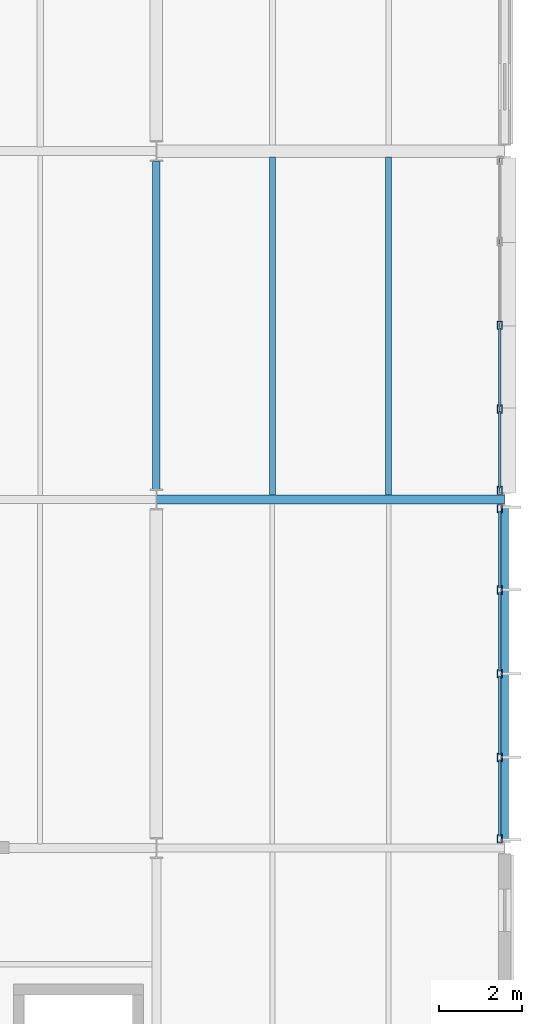
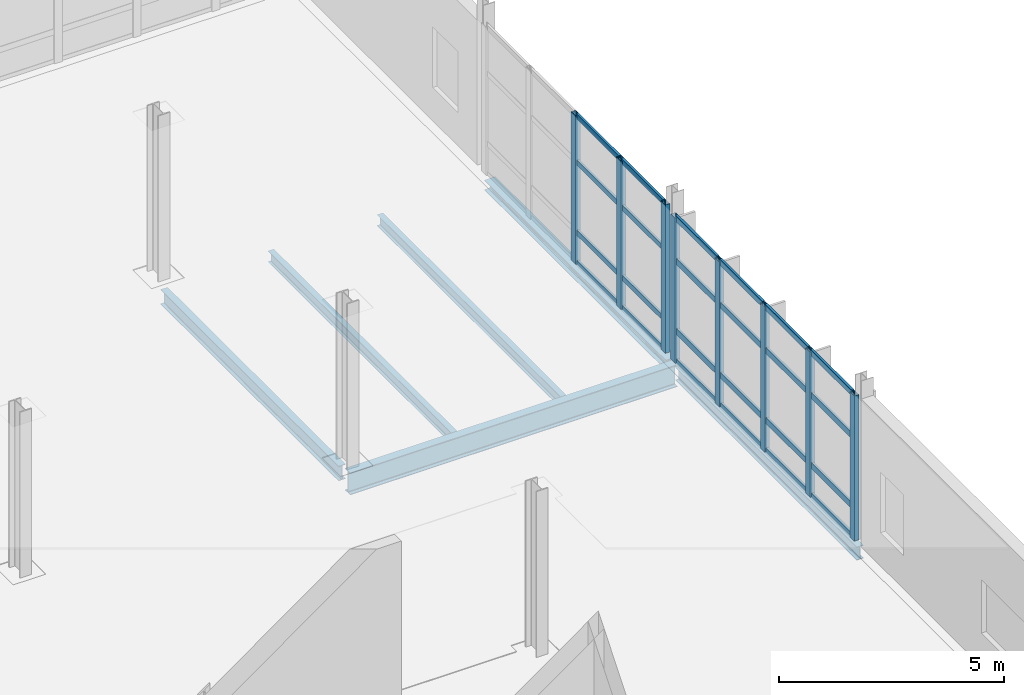
# One storey, part 73 of 129: 32 members, 6 beams, 2 elements without a shape of their own.
"""IFC4 building model written with IfcOpenShell, lengths in metres."""

from ifc_helpers import new_model, si_unit, direction, frame, origin, origin_2d, place, context, subcontext, project, spatial, hollow_rectangle, i_section, extrude, material, material_profile, profile_set, type_object, element, aggregate, save


model = new_model("IFC4")

# Units and contexts
model_context = context("Model", 3, precision=1e-05, world=origin(), true_north=direction((0.0, 1.0)))
body_context = subcontext(model_context, "Body", "Model", "MODEL_VIEW")
ifc_project = project(units=[si_unit("LENGTHUNIT", "METRE"), si_unit("AREAUNIT", "SQUARE_METRE"), si_unit("VOLUMEUNIT", "CUBIC_METRE"), si_unit("PLANEANGLEUNIT", "RADIAN"), si_unit("MASSUNIT", "GRAM", prefix="KILO")], contexts=[model_context])

# Site, building, storey
site_placement = place(None, origin())
site = spatial("IfcSite", under=ifc_project, at=site_placement, CompositionType="ELEMENT")
building_placement = place(site_placement, origin())
building = spatial("IfcBuilding", under=site, at=building_placement, Name="Mersafa Astral City Hall", CompositionType="ELEMENT")
storey_placement = place(building_placement, frame((0.0, 0.0, 5.39990234375)))
storey = spatial("IfcBuildingStorey", under=building, at=storey_placement, Name="L01", CompositionType="ELEMENT", Elevation=5.39990234375)

# Curtain wall, members
ifc_material_1 = material(Name="Anodised bronze aluminium framing", Category="aluminium")
curtain_wall_type_1 = type_object("IfcCurtainWallType", Name="ENV-CW-1", PredefinedType="USERDEFINED", material=ifc_material_1)
curtain_wall_1_placement = place(storey_placement, origin())
curtain_wall_1 = element("IfcCurtainWall", 1, at=curtain_wall_1_placement, inside=storey, type_object=curtain_wall_type_1, Name="L01 Unitised solar curtain wall 72", ObjectType="UNITISED CURTAIN WALL", PredefinedType="USERDEFINED")
ifc_material_profile_1 = material_profile(ifc_material_1, hollow_rectangle(XDim=0.1201171875, YDim=0.199951171875, WallThickness=0.008056640625, at=origin_2d()), Name="RHS 120x200x8")
ifc_profile_set_1 = profile_set([ifc_material_profile_1], Name="Anodised bronze aluminium framing")
member_type_1 = type_object("IfcMemberType", Name="ENV-CW-MUL-2", PredefinedType="MULLION", material=ifc_profile_set_1)
member_1_placement = place(storey_placement, frame((184.679931640625, 67.422119140625, -0.001953125), z_axis=(0.0, 0.0, 1.0), x_axis=(-1.0, 0.0, 0.0)))
member_1 = element("IfcMember", 2, at=member_1_placement, type_object=member_type_1, Name="CW-1 mullion 1", PredefinedType="MULLION", context=body_context, shape_type="SweptSolid", body=[
    extrude(hollow_rectangle(XDim=0.1201171875, YDim=0.199951171875, WallThickness=0.008056640625, at=origin_2d()), origin(), (0.0, 0.0, 1.0), 3.93896484375),
])
member_2_placement = place(storey_placement, frame((184.679931640625, 69.381103515625, -0.001953125), z_axis=(0.0, 0.0, 1.0), x_axis=(-1.0, 0.0, 0.0)))
member_2 = element("IfcMember", 3, at=member_2_placement, type_object=member_type_1, Name="CW-1 mullion 2", PredefinedType="MULLION", context=body_context, shape_type="SweptSolid", body=[
    extrude(hollow_rectangle(XDim=0.1201171875, YDim=0.199951171875, WallThickness=0.008056640625, at=origin_2d()), origin(), (0.0, 0.0, 1.0), 3.93896484375),
])
member_3_placement = place(storey_placement, frame((184.679931640625, 71.39990234375, -0.001953125), z_axis=(0.0, 0.0, 1.0), x_axis=(-1.0, 0.0, 0.0)))
member_3 = element("IfcMember", 4, at=member_3_placement, type_object=member_type_1, Name="CW-1 mullion 3", PredefinedType="MULLION", context=body_context, shape_type="SweptSolid", body=[
    extrude(hollow_rectangle(XDim=0.1201171875, YDim=0.199951171875, WallThickness=0.008056640625, at=origin_2d()), origin(), (0.0, 0.0, 1.0), 3.93896484375),
])
member_4_placement = place(storey_placement, frame((184.679931640625, 73.4189453125, -0.001953125), z_axis=(0.0, 0.0, 1.0), x_axis=(-1.0, 0.0, 0.0)))
member_4 = element("IfcMember", 5, at=member_4_placement, type_object=member_type_1, Name="CW-1 mullion 4", PredefinedType="MULLION", context=body_context, shape_type="SweptSolid", body=[
    extrude(hollow_rectangle(XDim=0.1201171875, YDim=0.199951171875, WallThickness=0.008056640625, at=origin_2d()), origin(), (0.0, 0.0, 1.0), 3.93896484375),
])
member_5_placement = place(storey_placement, frame((184.679931640625, 75.3779296875, -0.001953125), z_axis=(0.0, 0.0, 1.0), x_axis=(-1.0, 0.0, 0.0)))
member_5 = element("IfcMember", 6, at=member_5_placement, type_object=member_type_1, Name="CW-1 mullion 5", PredefinedType="MULLION", context=body_context, shape_type="SweptSolid", body=[
    extrude(hollow_rectangle(XDim=0.1201171875, YDim=0.199951171875, WallThickness=0.008056640625, at=origin_2d()), origin(), (0.0, 0.0, 1.0), 3.93896484375),
])

curtain_wall_type_2 = type_object("IfcCurtainWallType", Name="ENV-CW-2", PredefinedType="USERDEFINED", material=ifc_material_1)
curtain_wall_2_placement = place(storey_placement, origin())
curtain_wall_2 = element("IfcCurtainWall", 7, at=curtain_wall_2_placement, inside=storey, type_object=curtain_wall_type_2, Name="L01 Unitised solar curtain wall 73", ObjectType="UNITISED CURTAIN WALL", PredefinedType="USERDEFINED")
member_6_placement = place(storey_placement, frame((184.679931640625, 75.822021484375, -0.001953125), z_axis=(0.0, 0.0, 1.0), x_axis=(-1.0, 0.0, 0.0)))
member_6 = element("IfcMember", 8, at=member_6_placement, type_object=member_type_1, Name="CW-2 mullion 1", PredefinedType="MULLION", context=body_context, shape_type="SweptSolid", body=[
    extrude(hollow_rectangle(XDim=0.1201171875, YDim=0.199951171875, WallThickness=0.008056640625, at=origin_2d()), origin(), (0.0, 0.0, 1.0), 4.029052734375),
])
member_7_placement = place(storey_placement, frame((184.679931640625, 77.781005859375, -0.001953125), z_axis=(0.0, 0.0, 1.0), x_axis=(-1.0, 0.0, 0.0)))
member_7 = element("IfcMember", 9, at=member_7_placement, type_object=member_type_1, Name="CW-2 mullion 2", PredefinedType="MULLION", context=body_context, shape_type="SweptSolid", body=[
    extrude(hollow_rectangle(XDim=0.1201171875, YDim=0.199951171875, WallThickness=0.008056640625, at=origin_2d()), origin(), (0.0, 0.0, 1.0), 4.029052734375),
])
member_8_placement = place(storey_placement, frame((184.679931640625, 79.800048828125, -0.001953125), z_axis=(0.0, 0.0, 1.0), x_axis=(-1.0, 0.0, 0.0)))
member_8 = element("IfcMember", 10, at=member_8_placement, type_object=member_type_1, Name="CW-2 mullion 3", PredefinedType="MULLION", context=body_context, shape_type="SweptSolid", body=[
    extrude(hollow_rectangle(XDim=0.1201171875, YDim=0.199951171875, WallThickness=0.008056640625, at=origin_2d()), origin(), (0.0, 0.0, 1.0), 4.029052734375),
])
ifc_material_profile_2 = material_profile(ifc_material_1, hollow_rectangle(XDim=0.06005859375, YDim=0.139892578125, WallThickness=0.00390625, at=origin_2d()), Name="RHS 60x140x4")
ifc_profile_set_2 = profile_set([ifc_material_profile_2], Name="Anodised bronze aluminium framing")
member_type_2 = type_object("IfcMemberType", Name="ENV-CW-TRN-1", PredefinedType="USERDEFINED", material=ifc_profile_set_2)
member_9_placement = place(storey_placement, frame((184.679931640625, 75.882080078125, 0.028076171875), z_axis=(0.0, 1.0, 0.0), x_axis=(-1.0, 0.0, 0.0)))
member_9 = element("IfcMember", 11, at=member_9_placement, type_object=member_type_2, Name="CW-2 transom 1.1", ObjectType="TRANSOM", PredefinedType="USERDEFINED", context=body_context, shape_type="SweptSolid", body=[
    extrude(hollow_rectangle(XDim=0.06005859375, YDim=0.139892578125, WallThickness=0.00390625, at=origin_2d()), origin(), (0.0, 0.0, 1.0), 1.8388671875),
])
member_10_placement = place(storey_placement, frame((184.679931640625, 75.882080078125, 0.85009765625), z_axis=(0.0, 1.0, 0.0), x_axis=(-1.0, 0.0, 0.0)))
member_10 = element("IfcMember", 12, at=member_10_placement, type_object=member_type_2, Name="CW-2 transom 1.2", ObjectType="TRANSOM", PredefinedType="USERDEFINED", context=body_context, shape_type="SweptSolid", body=[
    extrude(hollow_rectangle(XDim=0.06005859375, YDim=0.139892578125, WallThickness=0.00390625, at=origin_2d()), origin(), (0.0, 0.0, 1.0), 1.8388671875),
])
member_11_placement = place(storey_placement, frame((184.679931640625, 75.882080078125, 2.75), z_axis=(0.0, 1.0, 0.0), x_axis=(-1.0, 0.0, 0.0)))
member_11 = element("IfcMember", 13, at=member_11_placement, type_object=member_type_2, Name="CW-2 transom 1.3", ObjectType="TRANSOM", PredefinedType="USERDEFINED", context=body_context, shape_type="SweptSolid", body=[
    extrude(hollow_rectangle(XDim=0.06005859375, YDim=0.139892578125, WallThickness=0.00390625, at=origin_2d()), origin(), (0.0, 0.0, 1.0), 1.8388671875),
])
member_12_placement = place(storey_placement, frame((184.679931640625, 75.882080078125, 3.9970703125), z_axis=(0.0, 1.0, 0.0), x_axis=(-1.0, 0.0, 0.0)))
member_12 = element("IfcMember", 14, at=member_12_placement, type_object=member_type_2, Name="CW-2 transom 1.4", ObjectType="TRANSOM", PredefinedType="USERDEFINED", context=body_context, shape_type="SweptSolid", body=[
    extrude(hollow_rectangle(XDim=0.06005859375, YDim=0.139892578125, WallThickness=0.00390625, at=origin_2d()), origin(), (0.0, 0.0, 1.0), 1.8388671875),
])
member_13_placement = place(storey_placement, frame((184.679931640625, 77.841064453125, 0.028076171875), z_axis=(0.0, 1.0, 0.0), x_axis=(-1.0, 0.0, 0.0)))
member_13 = element("IfcMember", 15, at=member_13_placement, type_object=member_type_2, Name="CW-2 transom 2.1", ObjectType="TRANSOM", PredefinedType="USERDEFINED", context=body_context, shape_type="SweptSolid", body=[
    extrude(hollow_rectangle(XDim=0.06005859375, YDim=0.139892578125, WallThickness=0.00390625, at=origin_2d()), origin(), (0.0, 0.0, 1.0), 1.89892578125),
])
member_14_placement = place(storey_placement, frame((184.679931640625, 77.841064453125, 0.85009765625), z_axis=(0.0, 1.0, 0.0), x_axis=(-1.0, 0.0, 0.0)))
member_14 = element("IfcMember", 16, at=member_14_placement, type_object=member_type_2, Name="CW-2 transom 2.2", ObjectType="TRANSOM", PredefinedType="USERDEFINED", context=body_context, shape_type="SweptSolid", body=[
    extrude(hollow_rectangle(XDim=0.06005859375, YDim=0.139892578125, WallThickness=0.00390625, at=origin_2d()), origin(), (0.0, 0.0, 1.0), 1.89892578125),
])
member_15_placement = place(storey_placement, frame((184.679931640625, 77.841064453125, 2.75), z_axis=(0.0, 1.0, 0.0), x_axis=(-1.0, 0.0, 0.0)))
member_15 = element("IfcMember", 17, at=member_15_placement, type_object=member_type_2, Name="CW-2 transom 2.3", ObjectType="TRANSOM", PredefinedType="USERDEFINED", context=body_context, shape_type="SweptSolid", body=[
    extrude(hollow_rectangle(XDim=0.06005859375, YDim=0.139892578125, WallThickness=0.00390625, at=origin_2d()), origin(), (0.0, 0.0, 1.0), 1.89892578125),
])
member_16_placement = place(storey_placement, frame((184.679931640625, 77.841064453125, 3.9970703125), z_axis=(0.0, 1.0, 0.0), x_axis=(-1.0, 0.0, 0.0)))
member_16 = element("IfcMember", 18, at=member_16_placement, type_object=member_type_2, Name="CW-2 transom 2.4", ObjectType="TRANSOM", PredefinedType="USERDEFINED", context=body_context, shape_type="SweptSolid", body=[
    extrude(hollow_rectangle(XDim=0.06005859375, YDim=0.139892578125, WallThickness=0.00390625, at=origin_2d()), origin(), (0.0, 0.0, 1.0), 1.89892578125),
])
aggregate(curtain_wall_2, [member_6, member_7, member_8, member_9, member_10, member_11, member_12, member_13, member_14, member_15, member_16])

# Member
ifc_material_profile_3 = material_profile(ifc_material_1, hollow_rectangle(XDim=0.06005859375, YDim=0.159912109375, WallThickness=0.00390625, at=origin_2d()), Name="RHS 60x160x4")
ifc_profile_set_3 = profile_set([ifc_material_profile_3], Name="Anodised bronze aluminium framing")
member_type_3 = type_object("IfcMemberType", Name="ENV-CW-TRN-2", PredefinedType="USERDEFINED", material=ifc_profile_set_3)
member_17_placement = place(storey_placement, frame((184.679931640625, 67.48193359375, 0.028076171875), z_axis=(0.0, 1.0, 0.0), x_axis=(-1.0, 0.0, 0.0)))
member_17 = element("IfcMember", 19, at=member_17_placement, type_object=member_type_3, Name="CW-1 transom 1.1", ObjectType="TRANSOM", PredefinedType="USERDEFINED", context=body_context, shape_type="SweptSolid", body=[
    extrude(hollow_rectangle(XDim=0.06005859375, YDim=0.159912109375, WallThickness=0.00390625, at=origin_2d()), origin(), (0.0, 0.0, 1.0), 1.839111328125),
])

member_18_placement = place(storey_placement, frame((184.679931640625, 67.48193359375, 0.85009765625), z_axis=(0.0, 1.0, 0.0), x_axis=(-1.0, 0.0, 0.0)))
member_18 = element("IfcMember", 20, at=member_18_placement, type_object=member_type_3, Name="CW-1 transom 1.2", ObjectType="TRANSOM", PredefinedType="USERDEFINED", context=body_context, shape_type="SweptSolid", body=[
    extrude(hollow_rectangle(XDim=0.06005859375, YDim=0.159912109375, WallThickness=0.00390625, at=origin_2d()), origin(), (0.0, 0.0, 1.0), 1.839111328125),
])

member_19_placement = place(storey_placement, frame((184.679931640625, 67.48193359375, 2.75), z_axis=(0.0, 1.0, 0.0), x_axis=(-1.0, 0.0, 0.0)))
member_19 = element("IfcMember", 21, at=member_19_placement, type_object=member_type_3, Name="CW-1 transom 1.3", ObjectType="TRANSOM", PredefinedType="USERDEFINED", context=body_context, shape_type="SweptSolid", body=[
    extrude(hollow_rectangle(XDim=0.06005859375, YDim=0.159912109375, WallThickness=0.00390625, at=origin_2d()), origin(), (0.0, 0.0, 1.0), 1.839111328125),
])

member_20_placement = place(storey_placement, frame((184.679931640625, 67.48193359375, 3.906982421875), z_axis=(0.0, 1.0, 0.0), x_axis=(-1.0, 0.0, 0.0)))
member_20 = element("IfcMember", 22, at=member_20_placement, type_object=member_type_3, Name="CW-1 transom 1.4", ObjectType="TRANSOM", PredefinedType="USERDEFINED", context=body_context, shape_type="SweptSolid", body=[
    extrude(hollow_rectangle(XDim=0.06005859375, YDim=0.159912109375, WallThickness=0.00390625, at=origin_2d()), origin(), (0.0, 0.0, 1.0), 1.839111328125),
])

member_21_placement = place(storey_placement, frame((184.679931640625, 69.44091796875, 0.028076171875), z_axis=(0.0, 1.0, 0.0), x_axis=(-1.0, 0.0, 0.0)))
member_21 = element("IfcMember", 23, at=member_21_placement, type_object=member_type_3, Name="CW-1 transom 2.1", ObjectType="TRANSOM", PredefinedType="USERDEFINED", context=body_context, shape_type="SweptSolid", body=[
    extrude(hollow_rectangle(XDim=0.06005859375, YDim=0.159912109375, WallThickness=0.00390625, at=origin_2d()), origin(), (0.0, 0.0, 1.0), 1.899169921875),
])

member_22_placement = place(storey_placement, frame((184.679931640625, 69.44091796875, 0.85009765625), z_axis=(0.0, 1.0, 0.0), x_axis=(-1.0, 0.0, 0.0)))
member_22 = element("IfcMember", 24, at=member_22_placement, type_object=member_type_3, Name="CW-1 transom 2.2", ObjectType="TRANSOM", PredefinedType="USERDEFINED", context=body_context, shape_type="SweptSolid", body=[
    extrude(hollow_rectangle(XDim=0.06005859375, YDim=0.159912109375, WallThickness=0.00390625, at=origin_2d()), origin(), (0.0, 0.0, 1.0), 1.899169921875),
])

member_23_placement = place(storey_placement, frame((184.679931640625, 69.44091796875, 2.75), z_axis=(0.0, 1.0, 0.0), x_axis=(-1.0, 0.0, 0.0)))
member_23 = element("IfcMember", 25, at=member_23_placement, type_object=member_type_3, Name="CW-1 transom 2.3", ObjectType="TRANSOM", PredefinedType="USERDEFINED", context=body_context, shape_type="SweptSolid", body=[
    extrude(hollow_rectangle(XDim=0.06005859375, YDim=0.159912109375, WallThickness=0.00390625, at=origin_2d()), origin(), (0.0, 0.0, 1.0), 1.899169921875),
])

member_24_placement = place(storey_placement, frame((184.679931640625, 69.44091796875, 3.906982421875), z_axis=(0.0, 1.0, 0.0), x_axis=(-1.0, 0.0, 0.0)))
member_24 = element("IfcMember", 26, at=member_24_placement, type_object=member_type_3, Name="CW-1 transom 2.4", ObjectType="TRANSOM", PredefinedType="USERDEFINED", context=body_context, shape_type="SweptSolid", body=[
    extrude(hollow_rectangle(XDim=0.06005859375, YDim=0.159912109375, WallThickness=0.00390625, at=origin_2d()), origin(), (0.0, 0.0, 1.0), 1.899169921875),
])

member_25_placement = place(storey_placement, frame((184.679931640625, 71.4599609375, 0.028076171875), z_axis=(0.0, 1.0, 0.0), x_axis=(-1.0, 0.0, 0.0)))
member_25 = element("IfcMember", 27, at=member_25_placement, type_object=member_type_3, Name="CW-1 transom 3.1", ObjectType="TRANSOM", PredefinedType="USERDEFINED", context=body_context, shape_type="SweptSolid", body=[
    extrude(hollow_rectangle(XDim=0.06005859375, YDim=0.159912109375, WallThickness=0.00390625, at=origin_2d()), origin(), (0.0, 0.0, 1.0), 1.89892578125),
])

member_26_placement = place(storey_placement, frame((184.679931640625, 71.4599609375, 0.85009765625), z_axis=(0.0, 1.0, 0.0), x_axis=(-1.0, 0.0, 0.0)))
member_26 = element("IfcMember", 28, at=member_26_placement, type_object=member_type_3, Name="CW-1 transom 3.2", ObjectType="TRANSOM", PredefinedType="USERDEFINED", context=body_context, shape_type="SweptSolid", body=[
    extrude(hollow_rectangle(XDim=0.06005859375, YDim=0.159912109375, WallThickness=0.00390625, at=origin_2d()), origin(), (0.0, 0.0, 1.0), 1.89892578125),
])

member_27_placement = place(storey_placement, frame((184.679931640625, 71.4599609375, 2.75), z_axis=(0.0, 1.0, 0.0), x_axis=(-1.0, 0.0, 0.0)))
member_27 = element("IfcMember", 29, at=member_27_placement, type_object=member_type_3, Name="CW-1 transom 3.3", ObjectType="TRANSOM", PredefinedType="USERDEFINED", context=body_context, shape_type="SweptSolid", body=[
    extrude(hollow_rectangle(XDim=0.06005859375, YDim=0.159912109375, WallThickness=0.00390625, at=origin_2d()), origin(), (0.0, 0.0, 1.0), 1.89892578125),
])

member_28_placement = place(storey_placement, frame((184.679931640625, 71.4599609375, 3.906982421875), z_axis=(0.0, 1.0, 0.0), x_axis=(-1.0, 0.0, 0.0)))
member_28 = element("IfcMember", 30, at=member_28_placement, type_object=member_type_3, Name="CW-1 transom 3.4", ObjectType="TRANSOM", PredefinedType="USERDEFINED", context=body_context, shape_type="SweptSolid", body=[
    extrude(hollow_rectangle(XDim=0.06005859375, YDim=0.159912109375, WallThickness=0.00390625, at=origin_2d()), origin(), (0.0, 0.0, 1.0), 1.89892578125),
])

member_29_placement = place(storey_placement, frame((184.679931640625, 73.47900390625, 0.028076171875), z_axis=(0.0, 1.0, 0.0), x_axis=(-1.0, 0.0, 0.0)))
member_29 = element("IfcMember", 31, at=member_29_placement, type_object=member_type_3, Name="CW-1 transom 4.1", ObjectType="TRANSOM", PredefinedType="USERDEFINED", context=body_context, shape_type="SweptSolid", body=[
    extrude(hollow_rectangle(XDim=0.06005859375, YDim=0.159912109375, WallThickness=0.00390625, at=origin_2d()), origin(), (0.0, 0.0, 1.0), 1.839111328125),
])

member_30_placement = place(storey_placement, frame((184.679931640625, 73.47900390625, 0.85009765625), z_axis=(0.0, 1.0, 0.0), x_axis=(-1.0, 0.0, 0.0)))
member_30 = element("IfcMember", 32, at=member_30_placement, type_object=member_type_3, Name="CW-1 transom 4.2", ObjectType="TRANSOM", PredefinedType="USERDEFINED", context=body_context, shape_type="SweptSolid", body=[
    extrude(hollow_rectangle(XDim=0.06005859375, YDim=0.159912109375, WallThickness=0.00390625, at=origin_2d()), origin(), (0.0, 0.0, 1.0), 1.839111328125),
])

member_31_placement = place(storey_placement, frame((184.679931640625, 73.47900390625, 2.75), z_axis=(0.0, 1.0, 0.0), x_axis=(-1.0, 0.0, 0.0)))
member_31 = element("IfcMember", 33, at=member_31_placement, type_object=member_type_3, Name="CW-1 transom 4.3", ObjectType="TRANSOM", PredefinedType="USERDEFINED", context=body_context, shape_type="SweptSolid", body=[
    extrude(hollow_rectangle(XDim=0.06005859375, YDim=0.159912109375, WallThickness=0.00390625, at=origin_2d()), origin(), (0.0, 0.0, 1.0), 1.839111328125),
])

member_32_placement = place(storey_placement, frame((184.679931640625, 73.47900390625, 3.906982421875), z_axis=(0.0, 1.0, 0.0), x_axis=(-1.0, 0.0, 0.0)))
member_32 = element("IfcMember", 34, at=member_32_placement, type_object=member_type_3, Name="CW-1 transom 4.4", ObjectType="TRANSOM", PredefinedType="USERDEFINED", context=body_context, shape_type="SweptSolid", body=[
    extrude(hollow_rectangle(XDim=0.06005859375, YDim=0.159912109375, WallThickness=0.00390625, at=origin_2d()), origin(), (0.0, 0.0, 1.0), 1.839111328125),
])

aggregate(curtain_wall_1, [member_1, member_2, member_3, member_4, member_5, member_17, member_18, member_19, member_20, member_21, member_22, member_23, member_24, member_25, member_26, member_27, member_28, member_29, member_30, member_31, member_32])

# Beams
ifc_material_2 = material(Name="Steel S355", Category="steel")
ifc_material_profile_4 = material_profile(ifc_material_2, i_section(OverallWidth=0.179931640625, OverallDepth=0.39990234375, WebThickness=0.008544921875, FlangeThickness=0.013427734375, FilletRadius=0.02099609375, at=origin_2d()), Name="IPE 400")
ifc_profile_set_4 = profile_set([ifc_material_profile_4], Name="Steel S355")
beam_type_1 = type_object("IfcBeamType", Name="STR-BM-IPE400", PredefinedType="BEAM", material=ifc_profile_set_4)
beam_1_placement = place(storey_placement, frame((176.39990234375, 75.844970703125, -0.4248046875), z_axis=(0.0, 1.0, 0.0), x_axis=(-1.0, 0.0, 0.0)))
element("IfcBeam", 35, at=beam_1_placement, inside=storey, type_object=beam_type_1, Name="L01 Primary girder Y 21-9", PredefinedType="BEAM", context=body_context, shape_type="SweptSolid", body=[
    extrude(i_section(OverallWidth=0.179931640625, OverallDepth=0.39990234375, WebThickness=0.008544921875, FlangeThickness=0.013427734375, FilletRadius=0.02099609375, at=origin_2d()), origin(), (0.0, 0.0, 1.0), 7.909912109375),
])
ifc_material_profile_5 = material_profile(ifc_material_2, i_section(OverallWidth=0.219970703125, OverallDepth=0.60009765625, WebThickness=0.011962890625, FlangeThickness=0.01904296875, FilletRadius=0.02392578125, at=origin_2d()), Name="IPE 600")
ifc_profile_set_5 = profile_set([ifc_material_profile_5], Name="Steel S355")
beam_type_2 = type_object("IfcBeamType", Name="STR-BM-IPE600", PredefinedType="BEAM", material=ifc_profile_set_5)
beam_2_placement = place(storey_placement, frame((176.403076171875, 75.60009765625, -0.52490234375), z_axis=(1.0, 0.0, 0.0), x_axis=(0.0, 1.0, 0.0)))
element("IfcBeam", 36, at=beam_2_placement, inside=storey, type_object=beam_type_2, Name="L01 Primary girder X 21-9", PredefinedType="BEAM", context=body_context, shape_type="SweptSolid", body=[
    extrude(i_section(OverallWidth=0.219970703125, OverallDepth=0.60009765625, WebThickness=0.011962890625, FlangeThickness=0.01904296875, FilletRadius=0.02392578125, at=origin_2d()), origin(), (0.0, 0.0, 1.0), 8.39404296875),
])
ifc_material_profile_6 = material_profile(ifc_material_2, i_section(OverallWidth=0.14990234375, OverallDepth=0.300048828125, WebThickness=0.007080078125, FlangeThickness=0.0107421875, FilletRadius=0.014892578125, at=origin_2d()), Name="IPE 300")
ifc_profile_set_6 = profile_set([ifc_material_profile_6], Name="Steel S355")
beam_type_3 = type_object("IfcBeamType", Name="STR-BM-JOIST-IPE300", PredefinedType="JOIST", material=ifc_profile_set_6)
for number, where, z_axis, x_axis, name in (
    (37, (179.199951171875, 75.705078125, -0.375), (0.0, 1.0, 0.0), (-1.0, 0.0, 0.0), "L01 Composite secondary floor joist 397"),
    (38, (182.0, 75.705078125, -0.375), (0.0, 1.0, 0.0), (-1.0, 0.0, 0.0), "L01 Composite secondary floor joist 398"),
):
    element("IfcBeam", number, at=place(storey_placement, frame(where, z_axis=z_axis, x_axis=x_axis)), inside=storey, type_object=beam_type_3, Name=name, PredefinedType="JOIST", context=body_context, shape_type="SweptSolid", body=[
        extrude(i_section(OverallWidth=0.14990234375, OverallDepth=0.300048828125, WebThickness=0.007080078125, FlangeThickness=0.0107421875, FilletRadius=0.014892578125, at=origin_2d()), origin(), (0.0, 0.0, 1.0), 8.14990234375),
    ])
ifc_material_profile_7 = material_profile(ifc_material_2, i_section(OverallWidth=0.280029296875, OverallDepth=0.27001953125, WebThickness=0.008056640625, FlangeThickness=0.012939453125, FilletRadius=0.02392578125, at=origin_2d()), Name="HEA 280")
ifc_profile_set_7 = profile_set([ifc_material_profile_7], Name="Steel S355")
beam_type_4 = type_object("IfcBeamType", Name="STR-BM-SPANDREL-HEA280", PredefinedType="SPANDREL", material=ifc_profile_set_7)
beam_3_placement = place(storey_placement, frame((184.800048828125, 75.764892578125, -0.35986328125), z_axis=(0.0, 1.0, 0.0), x_axis=(-1.0, 0.0, 0.0)))
element("IfcBeam", 39, at=beam_3_placement, inside=storey, type_object=beam_type_4, Name="L01 Primary girder Y 22-9", PredefinedType="SPANDREL", context=body_context, shape_type="SweptSolid", body=[
    extrude(i_section(OverallWidth=0.280029296875, OverallDepth=0.27001953125, WebThickness=0.008056640625, FlangeThickness=0.012939453125, FilletRadius=0.02392578125, at=origin_2d()), origin(), (0.0, 0.0, 1.0), 8.06005859375),
])
ifc_material_profile_8 = material_profile(ifc_material_2, i_section(OverallWidth=0.169921875, OverallDepth=0.360107421875, WebThickness=0.008056640625, FlangeThickness=0.0126953125, FilletRadius=0.01806640625, at=origin_2d()), Name="IPE 360")
ifc_profile_set_8 = profile_set([ifc_material_profile_8], Name="Steel S355")
beam_type_5 = type_object("IfcBeamType", Name="STR-BM-SPANDREL-IPE360", PredefinedType="SPANDREL", material=ifc_profile_set_8)
beam_4_placement = place(storey_placement, frame((184.800048828125, 67.375, -0.40478515625), z_axis=(0.0, 1.0, 0.0), x_axis=(-1.0, 0.0, 0.0)))
element("IfcBeam", 40, at=beam_4_placement, inside=storey, type_object=beam_type_5, Name="L01 Primary girder Y 22-8", PredefinedType="SPANDREL", context=body_context, shape_type="SweptSolid", body=[
    extrude(i_section(OverallWidth=0.169921875, OverallDepth=0.360107421875, WebThickness=0.008056640625, FlangeThickness=0.0126953125, FilletRadius=0.01806640625, at=origin_2d()), origin(), (0.0, 0.0, 1.0), 8.06005859375),
])

save(model, "model.ifc")
